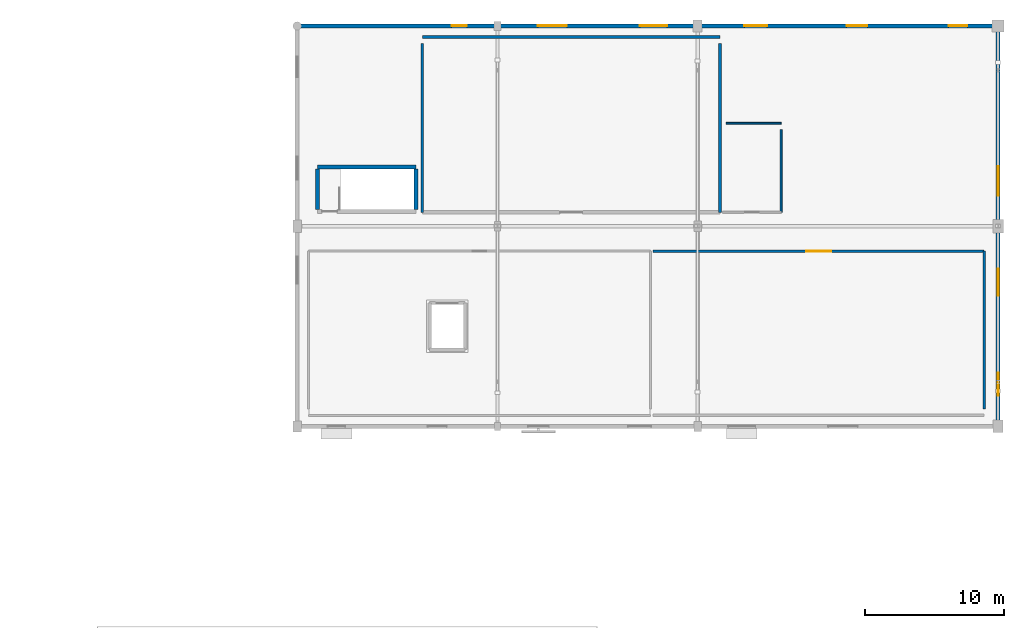
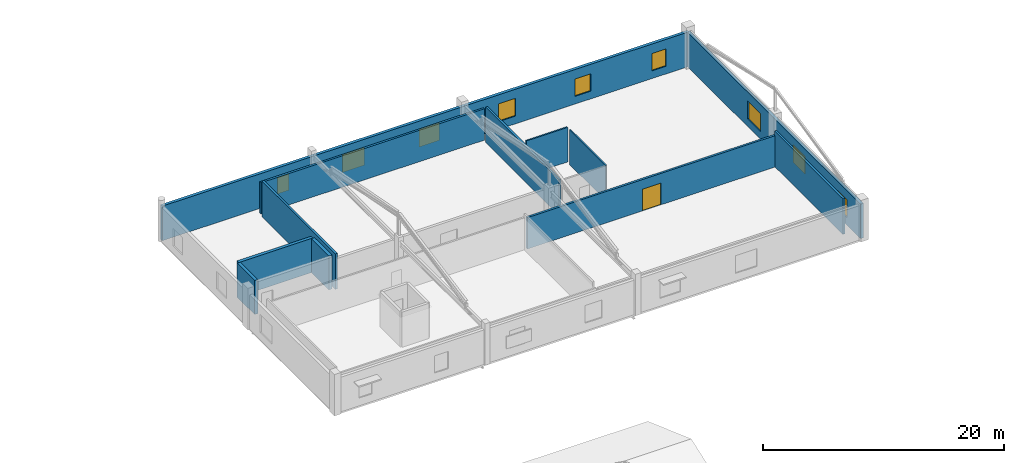
# One storey, part 72 of 92: 12 walls, 9 windows, 1 door, 10 openings.
"""IFC4 building model written with IfcOpenShell, lengths in metres."""

from ifc_helpers import new_model, si_unit, direction, frame, frame_2d, origin, place, context, subcontext, project, spatial, rectangle, extrude, material, layer, layer_set, type_object, element, fill, save


model = new_model("IFC4")

# Units and contexts
model_context = context("Model", 3, precision=1e-05, world=origin(), true_north=direction((0.0, 1.0)))
body_context = subcontext(model_context, "Body", "Model", "MODEL_VIEW")
ifc_project = project(units=[si_unit("LENGTHUNIT", "METRE"), si_unit("AREAUNIT", "SQUARE_METRE"), si_unit("VOLUMEUNIT", "CUBIC_METRE"), si_unit("PLANEANGLEUNIT", "RADIAN"), si_unit("MASSUNIT", "GRAM", prefix="KILO")], contexts=[model_context])

# Site, building, storey
site_placement = place(None, origin())
site = spatial("IfcSite", under=ifc_project, at=site_placement, CompositionType="ELEMENT")
building_placement = place(site_placement, origin())
building = spatial("IfcBuilding", under=site, at=building_placement, Name="Solanera Park Tramway Depot", CompositionType="ELEMENT")
storey_placement = place(building_placement, frame((0.0, 0.0, 4.800048828125)))
storey = spatial("IfcBuildingStorey", under=building, at=storey_placement, Name="L01", CompositionType="ELEMENT", Elevation=4.800048828125)

# Walls
ifc_material_1 = material(Name="Concrete N40 (C40/50)", Category="concrete")
ifc_layer_1 = layer(ifc_material_1, 0.300048828125)
ifc_layer_set_1 = layer_set([ifc_layer_1], Name="Concrete N40 (C40/50)")
wall_type_1 = type_object("IfcWallType", Name="Core Shear Wall 300", PredefinedType="SHEAR", material=ifc_layer_set_1)
wall_1_placement = place(storey_placement, frame((174.14990234375, 133.85009765625, 0.0), z_axis=(0.0, 0.0, 1.0), x_axis=(-1.0, 0.0, 0.0)))
element("IfcWall", 1, at=wall_1_placement, inside=storey, type_object=wall_type_1, Name="ST-11 L01 Shear Core Wall N", PredefinedType="SHEAR", context=body_context, shape_type="SweptSolid", body=[
    extrude(rectangle(XDim=7.099853515625, YDim=0.300048828125, at=frame_2d((3.5498046875, 0.0))), origin(), (0.0, 0.0, 1.0), 3.449951171875),
])
for number, where, z_axis, x_axis, name in (
    (2, (174.14990234375, 130.800048828125, 0.0), (0.0, 0.0, 1.0), (0.0, 1.0, 0.0), "ST-11 L01 Shear Core Wall E"),
    (3, (167.050048828125, 133.699951171875, 0.0), (0.0, 0.0, 1.0), (0.0, -1.0, 0.0), "ST-11 L01 Shear Core Wall W"),
):
    element("IfcWall", number, at=place(storey_placement, frame(where, z_axis=z_axis, x_axis=x_axis)), inside=storey, type_object=wall_type_1, Name=name, PredefinedType="SHEAR", context=body_context, shape_type="SweptSolid", body=[
        extrude(rectangle(XDim=2.89990234375, YDim=0.300048828125, at=frame_2d((1.449951171875, 0.0))), origin(), (0.0, 0.0, 1.0), 3.449951171875),
    ])

# Wall, openings, windows
ifc_material_2 = material(Name="Concrete N32 (C32/40)", Category="concrete")
ifc_layer_2 = layer(ifc_material_2, 0.280029296875)
ifc_layer_set_2 = layer_set([ifc_layer_2], Name="Concrete N32 (C32/40)")
wall_type_2 = type_object("IfcWallType", Name="Ext Stucco Wall 280", PredefinedType="SOLIDWALL", material=ifc_layer_set_2)
wall_2_placement = place(storey_placement, frame((216.0, 144.0, 0.0), z_axis=(0.0, 0.0, 1.0), x_axis=(-1.0, 0.0, 0.0)))
wall_2 = element("IfcWall", 4, at=wall_2_placement, inside=storey, type_object=wall_type_2, Name="L01 Exterior Wall #016", PredefinedType="SOLIDWALL", context=body_context, shape_type="SweptSolid", body=[
    extrude(rectangle(XDim=50.39990234375, YDim=0.280029296875, at=frame_2d((25.199951171875, 0.0))), origin(), (0.0, 0.0, 1.0), 3.5),
])
opening_1_placement = place(wall_2_placement, frame((2.199951171875, 0.0, 0.780029296875)))
opening_1 = element("IfcOpeningElement", 5, at=opening_1_placement, cuts=wall_2, Name="Opening WN-C13", PredefinedType="OPENING", context=body_context, shape_type="SweptSolid", body=[
    extrude(rectangle(XDim=1.35009765625, YDim=1.75, at=frame_2d((0.675048828125, 0.875))), frame((0.0, 0.14990234375, 0.0), z_axis=(0.0, -1.0, 0.0), x_axis=(1.0, 0.0, 0.0)), (0.0, 0.0, 1.0), 0.300048828125),
])
opening_2_placement = place(wall_2_placement, frame((9.39990234375, 0.0, 0.780029296875)))
opening_2 = element("IfcOpeningElement", 6, at=opening_2_placement, cuts=wall_2, Name="Opening WN-C15", PredefinedType="OPENING", context=body_context, shape_type="SweptSolid", body=[
    extrude(rectangle(XDim=1.5, YDim=1.75, at=frame_2d((0.75, 0.875))), frame((0.0, 0.14990234375, 0.0), z_axis=(0.0, -1.0, 0.0), x_axis=(1.0, 0.0, 0.0)), (0.0, 0.0, 1.0), 0.300048828125),
])
opening_3_placement = place(wall_2_placement, frame((16.60009765625, 0.0, 0.780029296875)))
opening_3 = element("IfcOpeningElement", 7, at=opening_3_placement, cuts=wall_2, Name="Opening WN-C16", PredefinedType="OPENING", context=body_context, shape_type="SweptSolid", body=[
    extrude(rectangle(XDim=1.64990234375, YDim=1.800048828125, at=frame_2d((0.824951171875, 0.89990234375))), frame((0.0, 0.14990234375, 0.0), z_axis=(0.0, -1.0, 0.0), x_axis=(1.0, 0.0, 0.0)), (0.0, 0.0, 1.0), 0.300048828125),
])
opening_4_placement = place(wall_2_placement, frame((23.800048828125, 0.0, 0.780029296875)))
opening_4 = element("IfcOpeningElement", 8, at=opening_4_placement, cuts=wall_2, Name="Opening WN-C19", PredefinedType="OPENING", context=body_context, shape_type="SweptSolid", body=[
    extrude(rectangle(XDim=1.949951171875, YDim=1.800048828125, at=frame_2d((0.97509765625, 0.89990234375))), frame((0.0, 0.14990234375, 0.0), z_axis=(0.0, -1.0, 0.0), x_axis=(1.0, 0.0, 0.0)), (0.0, 0.0, 1.0), 0.300048828125),
])
opening_5_placement = place(wall_2_placement, frame((31.0, 0.0, 0.780029296875)))
opening_5 = element("IfcOpeningElement", 9, at=opening_5_placement, cuts=wall_2, Name="Opening WN-C21", PredefinedType="OPENING", context=body_context, shape_type="SweptSolid", body=[
    extrude(rectangle(XDim=2.10009765625, YDim=1.800048828125, at=frame_2d((1.050048828125, 0.89990234375))), frame((0.0, 0.14990234375, 0.0), z_axis=(0.0, -1.0, 0.0), x_axis=(1.0, 0.0, 0.0)), (0.0, 0.0, 1.0), 0.300048828125),
])
opening_6_placement = place(wall_2_placement, frame((38.199951171875, 0.0, 0.780029296875)))
opening_6 = element("IfcOpeningElement", 10, at=opening_6_placement, cuts=wall_2, Name="Opening WN-C11", PredefinedType="OPENING", context=body_context, shape_type="SweptSolid", body=[
    extrude(rectangle(XDim=1.10009765625, YDim=1.64990234375, at=frame_2d((0.550048828125, 0.824951171875))), frame((0.0, 0.14990234375, 0.0), z_axis=(0.0, -1.0, 0.0), x_axis=(1.0, 0.0, 0.0)), (0.0, 0.0, 1.0), 0.300048828125),
])
ifc_material_3 = material(Name="Powder-coated aluminium frame with solar-control double glazing", Category="aluminium")
window_type_1 = type_object("IfcWindowType", Name="Cloister Casement Window 1100x1650", PartitioningType="SINGLE_PANEL", PredefinedType="WINDOW", material=ifc_material_3)
window_1_placement = place(opening_6_placement, origin())
window_1 = element("IfcWindow", 11, at=window_1_placement, inside=storey, type_object=window_type_1, Name="L01 Cloister Casement Window 1100x1650 #0087", OverallHeight=1.64990234375, OverallWidth=1.10009765625, PartitioningType="SINGLE_PANEL", PredefinedType="WINDOW", context=body_context, shape_type="SweptSolid", body=[
    extrude(rectangle(XDim=1.10009765625, YDim=1.64990234375, at=frame_2d((0.550048828125, 0.824951171875))), frame((0.0, 0.030029296875, 0.0), z_axis=(0.0, -1.0, 0.0), x_axis=(1.0, 0.0, 0.0)), (0.0, 0.0, 1.0), 0.06005859375),
])
fill(opening_6, window_1)
ifc_material_4 = material(Name="Powder-coated aluminium frame with solar-control double glazing", Category="aluminium")
window_type_2 = type_object("IfcWindowType", Name="Cloister Casement Window 1350x1750", PartitioningType="SINGLE_PANEL", PredefinedType="WINDOW", material=ifc_material_4)
window_2_placement = place(opening_1_placement, origin())
window_2 = element("IfcWindow", 12, at=window_2_placement, inside=storey, type_object=window_type_2, Name="L01 Cloister Casement Window 1350x1750 #0082", OverallHeight=1.75, OverallWidth=1.35009765625, PartitioningType="SINGLE_PANEL", PredefinedType="WINDOW", context=body_context, shape_type="SweptSolid", body=[
    extrude(rectangle(XDim=1.35009765625, YDim=1.75, at=frame_2d((0.675048828125, 0.875))), frame((0.0, 0.030029296875, 0.0), z_axis=(0.0, -1.0, 0.0), x_axis=(1.0, 0.0, 0.0)), (0.0, 0.0, 1.0), 0.06005859375),
])
fill(opening_1, window_2)
ifc_material_5 = material(Name="Powder-coated aluminium frame with solar-control double glazing", Category="aluminium")
window_type_3 = type_object("IfcWindowType", Name="Cloister Casement Window 1500x1750", PartitioningType="SINGLE_PANEL", PredefinedType="WINDOW", material=ifc_material_5)
window_3_placement = place(opening_2_placement, origin())
window_3 = element("IfcWindow", 13, at=window_3_placement, inside=storey, type_object=window_type_3, Name="L01 Cloister Casement Window 1500x1750 #0083", OverallHeight=1.75, OverallWidth=1.5, PartitioningType="SINGLE_PANEL", PredefinedType="WINDOW", context=body_context, shape_type="SweptSolid", body=[
    extrude(rectangle(XDim=1.5, YDim=1.75, at=frame_2d((0.75, 0.875))), frame((0.0, 0.030029296875, 0.0), z_axis=(0.0, -1.0, 0.0), x_axis=(1.0, 0.0, 0.0)), (0.0, 0.0, 1.0), 0.06005859375),
])
fill(opening_2, window_3)
ifc_material_6 = material(Name="Powder-coated aluminium frame with solar-control double glazing", Category="aluminium")
window_type_4 = type_object("IfcWindowType", Name="Cloister Casement Window 1650x1800", PartitioningType="SINGLE_PANEL", PredefinedType="WINDOW", material=ifc_material_6)
window_4_placement = place(opening_3_placement, origin())
window_4 = element("IfcWindow", 14, at=window_4_placement, inside=storey, type_object=window_type_4, Name="L01 Cloister Casement Window 1650x1800 #0084", OverallHeight=1.800048828125, OverallWidth=1.64990234375, PartitioningType="SINGLE_PANEL", PredefinedType="WINDOW", context=body_context, shape_type="SweptSolid", body=[
    extrude(rectangle(XDim=1.64990234375, YDim=1.800048828125, at=frame_2d((0.824951171875, 0.89990234375))), frame((0.0, 0.030029296875, 0.0), z_axis=(0.0, -1.0, 0.0), x_axis=(1.0, 0.0, 0.0)), (0.0, 0.0, 1.0), 0.06005859375),
])
fill(opening_3, window_4)
ifc_material_7 = material(Name="Powder-coated aluminium frame with solar-control double glazing", Category="aluminium")
window_type_5 = type_object("IfcWindowType", Name="Cloister Casement Window 1950x1800", PartitioningType="SINGLE_PANEL", PredefinedType="WINDOW", material=ifc_material_7)
window_5_placement = place(opening_4_placement, origin())
window_5 = element("IfcWindow", 15, at=window_5_placement, inside=storey, type_object=window_type_5, Name="L01 Cloister Casement Window 1950x1800 #0085", OverallHeight=1.800048828125, OverallWidth=1.949951171875, PartitioningType="SINGLE_PANEL", PredefinedType="WINDOW", context=body_context, shape_type="SweptSolid", body=[
    extrude(rectangle(XDim=1.949951171875, YDim=1.800048828125, at=frame_2d((0.97509765625, 0.89990234375))), frame((0.0, 0.030029296875, 0.0), z_axis=(0.0, -1.0, 0.0), x_axis=(1.0, 0.0, 0.0)), (0.0, 0.0, 1.0), 0.06005859375),
])
fill(opening_4, window_5)
ifc_material_8 = material(Name="Powder-coated aluminium frame with solar-control double glazing", Category="aluminium")
window_type_6 = type_object("IfcWindowType", Name="Cloister Casement Window 2100x1800", PartitioningType="SINGLE_PANEL", PredefinedType="WINDOW", material=ifc_material_8)
window_6_placement = place(opening_5_placement, origin())
window_6 = element("IfcWindow", 16, at=window_6_placement, inside=storey, type_object=window_type_6, Name="L01 Cloister Casement Window 2100x1800 #0086", OverallHeight=1.800048828125, OverallWidth=2.10009765625, PartitioningType="SINGLE_PANEL", PredefinedType="WINDOW", context=body_context, shape_type="SweptSolid", body=[
    extrude(rectangle(XDim=2.10009765625, YDim=1.800048828125, at=frame_2d((1.050048828125, 0.89990234375))), frame((0.0, 0.030029296875, 0.0), z_axis=(0.0, -1.0, 0.0), x_axis=(1.0, 0.0, 0.0)), (0.0, 0.0, 1.0), 0.06005859375),
])
fill(opening_5, window_6)

wall_3_placement = place(storey_placement, frame((216.0, 115.199951171875, 0.0), z_axis=(0.0, 0.0, 1.0), x_axis=(0.0, 1.0, 0.0)))
wall_3 = element("IfcWall", 17, at=wall_3_placement, inside=storey, type_object=wall_type_2, Name="L01 Exterior Wall #018", PredefinedType="SOLIDWALL", context=body_context, shape_type="SweptSolid", body=[
    extrude(rectangle(XDim=28.800048828125, YDim=0.280029296875, at=frame_2d((14.39990234375, 0.0))), origin(), (0.0, 0.0, 1.0), 3.482177734375),
])
opening_7_placement = place(wall_3_placement, frame((2.199951171875, 0.0, 0.780029296875)))
opening_7 = element("IfcOpeningElement", 18, at=opening_7_placement, cuts=wall_3, Name="Opening WN-C16", PredefinedType="OPENING", context=body_context, shape_type="SweptSolid", body=[
    extrude(rectangle(XDim=1.64990234375, YDim=1.800048828125, at=frame_2d((0.824951171875, 0.89990234375))), frame((0.0, 0.14990234375, 0.0), z_axis=(0.0, -1.0, 0.0), x_axis=(1.0, 0.0, 0.0)), (0.0, 0.0, 1.0), 0.300048828125),
])
opening_8_placement = place(wall_3_placement, frame((9.39990234375, 0.0, 0.780029296875)))
opening_8 = element("IfcOpeningElement", 19, at=opening_8_placement, cuts=wall_3, Name="Opening WN-C19", PredefinedType="OPENING", context=body_context, shape_type="SweptSolid", body=[
    extrude(rectangle(XDim=1.949951171875, YDim=1.800048828125, at=frame_2d((0.97509765625, 0.89990234375))), frame((0.0, 0.14990234375, 0.0), z_axis=(0.0, -1.0, 0.0), x_axis=(1.0, 0.0, 0.0)), (0.0, 0.0, 1.0), 0.300048828125),
])
opening_9_placement = place(wall_3_placement, frame((16.60009765625, 0.0, 0.780029296875)))
opening_9 = element("IfcOpeningElement", 20, at=opening_9_placement, cuts=wall_3, Name="Opening WN-C21", PredefinedType="OPENING", context=body_context, shape_type="SweptSolid", body=[
    extrude(rectangle(XDim=2.10009765625, YDim=1.800048828125, at=frame_2d((1.050048828125, 0.89990234375))), frame((0.0, 0.14990234375, 0.0), z_axis=(0.0, -1.0, 0.0), x_axis=(1.0, 0.0, 0.0)), (0.0, 0.0, 1.0), 0.300048828125),
])
window_7_placement = place(opening_7_placement, origin())
window_7 = element("IfcWindow", 21, at=window_7_placement, inside=storey, type_object=window_type_4, Name="L01 Cloister Casement Window 1650x1800 #0091", OverallHeight=1.800048828125, OverallWidth=1.64990234375, PartitioningType="SINGLE_PANEL", PredefinedType="WINDOW", context=body_context, shape_type="SweptSolid", body=[
    extrude(rectangle(XDim=1.64990234375, YDim=1.800048828125, at=frame_2d((0.824951171875, 0.89990234375))), frame((0.0, 0.030029296875, 0.0), z_axis=(0.0, -1.0, 0.0), x_axis=(1.0, 0.0, 0.0)), (0.0, 0.0, 1.0), 0.06005859375),
])
fill(opening_7, window_7)
window_8_placement = place(opening_8_placement, origin())
window_8 = element("IfcWindow", 22, at=window_8_placement, inside=storey, type_object=window_type_5, Name="L01 Cloister Casement Window 1950x1800 #0092", OverallHeight=1.800048828125, OverallWidth=1.949951171875, PartitioningType="SINGLE_PANEL", PredefinedType="WINDOW", context=body_context, shape_type="SweptSolid", body=[
    extrude(rectangle(XDim=1.949951171875, YDim=1.800048828125, at=frame_2d((0.97509765625, 0.89990234375))), frame((0.0, 0.030029296875, 0.0), z_axis=(0.0, -1.0, 0.0), x_axis=(1.0, 0.0, 0.0)), (0.0, 0.0, 1.0), 0.06005859375),
])
fill(opening_8, window_8)
window_9_placement = place(opening_9_placement, origin())
window_9 = element("IfcWindow", 23, at=window_9_placement, inside=storey, type_object=window_type_6, Name="L01 Cloister Casement Window 2100x1800 #0093", OverallHeight=1.800048828125, OverallWidth=2.10009765625, PartitioningType="SINGLE_PANEL", PredefinedType="WINDOW", context=body_context, shape_type="SweptSolid", body=[
    extrude(rectangle(XDim=2.10009765625, YDim=1.800048828125, at=frame_2d((1.050048828125, 0.89990234375))), frame((0.0, 0.030029296875, 0.0), z_axis=(0.0, -1.0, 0.0), x_axis=(1.0, 0.0, 0.0)), (0.0, 0.0, 1.0), 0.06005859375),
])
fill(opening_9, window_9)

# Wall
ifc_material_9 = material(Name="Concrete N32 (C32/40)", Category="concrete")
ifc_layer_3 = layer(ifc_material_9, 0.199951171875)
ifc_layer_set_3 = layer_set([ifc_layer_3], Name="Concrete N32 (C32/40)")
wall_type_3 = type_object("IfcWallType", Name="Fire Compartment Wall 200", PredefinedType="SOLIDWALL", material=ifc_layer_set_3)
wall_4_placement = place(storey_placement, frame((215.0, 116.449951171875, 0.0), z_axis=(0.0, 0.0, 1.0), x_axis=(0.0, 1.0, 0.0)))
element("IfcWall", 24, at=wall_4_placement, inside=storey, type_object=wall_type_3, Name="Wash Hall Heat-Recovery AHU Plant Room Dividing Wall", PredefinedType="SOLIDWALL", context=body_context, shape_type="SweptSolid", body=[
    extrude(rectangle(XDim=11.35009765625, YDim=0.199951171875, at=frame_2d((5.675048828125, 0.0))), origin(), (0.0, 0.0, 1.0), 3.599853515625),
])

# Wall, opening, door
wall_5_placement = place(storey_placement, frame((191.199951171875, 127.800048828125, 0.0), z_axis=(0.0, 0.0, 1.0), x_axis=(1.0, 0.0, 0.0)))
wall_5 = element("IfcWall", 25, at=wall_5_placement, inside=storey, type_object=wall_type_3, Name="Wash Hall Heat-Recovery AHU Plant Room Corridor Wall", PredefinedType="SOLIDWALL", context=body_context, shape_type="SweptSolid", body=[
    extrude(rectangle(XDim=23.800048828125, YDim=0.199951171875, at=frame_2d((11.89990234375, 0.0))), origin(), (0.0, 0.0, 1.0), 3.17431640625),
])
opening_10_placement = place(wall_5_placement, frame((11.0, 0.0, 0.0)))
opening_10 = element("IfcOpeningElement", 26, at=opening_10_placement, cuts=wall_5, Name="Opening FD-P2D", PredefinedType="OPENING", context=body_context, shape_type="SweptSolid", body=[
    extrude(rectangle(XDim=1.800048828125, YDim=2.199951171875, at=frame_2d((0.89990234375, 1.10009765625))), frame((0.0, 0.10986328125, 0.0), z_axis=(0.0, -1.0, 0.0), x_axis=(1.0, 0.0, 0.0)), (0.0, 0.0, 1.0), 0.219970703125),
])
ifc_material_10 = material(Name="Fire-rated steel or solid-core hardwood door leaf", Category="steel")
door_type = type_object("IfcDoorType", Name="Plant Double Fire Door 1800x2200", OperationType="DOUBLE_SWING_LEFT", PredefinedType="DOOR", material=ifc_material_10)
door_placement = place(opening_10_placement, origin())
door = element("IfcDoor", 27, at=door_placement, inside=storey, type_object=door_type, Name="Wash Hall Heat-Recovery AHU Plant Room Door", OperationType="DOUBLE_SWING_LEFT", OverallHeight=2.199951171875, OverallWidth=1.800048828125, PredefinedType="DOOR", context=body_context, shape_type="SweptSolid", body=[
    extrude(rectangle(XDim=1.800048828125, YDim=2.199951171875, at=frame_2d((0.89990234375, 1.10009765625))), frame((0.0, 0.02490234375, 0.0), z_axis=(0.0, -1.0, 0.0), x_axis=(1.0, 0.0, 0.0)), (0.0, 0.0, 1.0), 0.050048828125),
])
fill(opening_10, door)

# Walls
wall_6_placement = place(storey_placement, frame((174.60009765625, 143.199951171875, 0.0), z_axis=(0.0, 0.0, 1.0), x_axis=(1.0, 0.0, 0.0)))
element("IfcWall", 28, at=wall_6_placement, inside=storey, type_object=wall_type_3, Name="Biodegradable Detergent Dosing Room Dividing Wall", PredefinedType="SOLIDWALL", context=body_context, shape_type="SweptSolid", body=[
    extrude(rectangle(XDim=21.39990234375, YDim=0.199951171875, at=frame_2d((10.699951171875, 0.0))), origin(), (0.0, 0.0, 1.0), 3.17431640625),
])
for number, where, z_axis, x_axis, name in (
    (29, (196.0, 130.60009765625, 0.0), (0.0, 0.0, 1.0), (0.0, 1.0, 0.0), "Biodegradable Detergent Dosing Room Dividing Wall"),
    (30, (174.60009765625, 142.75, 0.0), (0.0, 0.0, 1.0), (0.0, -1.0, 0.0), "Biodegradable Detergent Dosing Room Dividing Wall"),
):
    element("IfcWall", number, at=place(storey_placement, frame(where, z_axis=z_axis, x_axis=x_axis)), inside=storey, type_object=wall_type_3, Name=name, PredefinedType="SOLIDWALL", context=body_context, shape_type="SweptSolid", body=[
        extrude(rectangle(XDim=12.14990234375, YDim=0.199951171875, at=frame_2d((6.074951171875, 0.0))), origin(), (0.0, 0.0, 1.0), 3.599853515625),
    ])
ifc_material_11 = material(Name="Concrete N32 (C32/40)", Category="concrete")
ifc_layer_4 = layer(ifc_material_11, 0.139892578125)
ifc_layer_set_4 = layer_set([ifc_layer_4], Name="Concrete N32 (C32/40)")
wall_type_4 = type_object("IfcWallType", Name="Wet Area Partition 140", PredefinedType="PARTITIONING", material=ifc_layer_set_4)
wall_7_placement = place(storey_placement, frame((196.449951171875, 137.0, 0.0), z_axis=(0.0, 0.0, 1.0), x_axis=(1.0, 0.0, 0.0)))
element("IfcWall", 31, at=wall_7_placement, inside=storey, type_object=wall_type_4, Name="Substation Gallery Accessible WC L01 Dividing Wall", PredefinedType="PARTITIONING", context=body_context, shape_type="SweptSolid", body=[
    extrude(rectangle(XDim=3.949951171875, YDim=0.139892578125, at=frame_2d((1.97509765625, 0.0))), origin(), (0.0, 0.0, 1.0), 3.5),
])
wall_8_placement = place(storey_placement, frame((200.39990234375, 130.60009765625, 0.0), z_axis=(0.0, 0.0, 1.0), x_axis=(0.0, 1.0, 0.0)))
element("IfcWall", 32, at=wall_8_placement, inside=storey, type_object=wall_type_4, Name="Substation Gallery Accessible WC L01 Dividing Wall", PredefinedType="PARTITIONING", context=body_context, shape_type="SweptSolid", body=[
    extrude(rectangle(XDim=5.949951171875, YDim=0.139892578125, at=frame_2d((2.97509765625, 0.0))), origin(), (0.0, 0.0, 1.0), 3.5),
])

save(model, "model.ifc")
